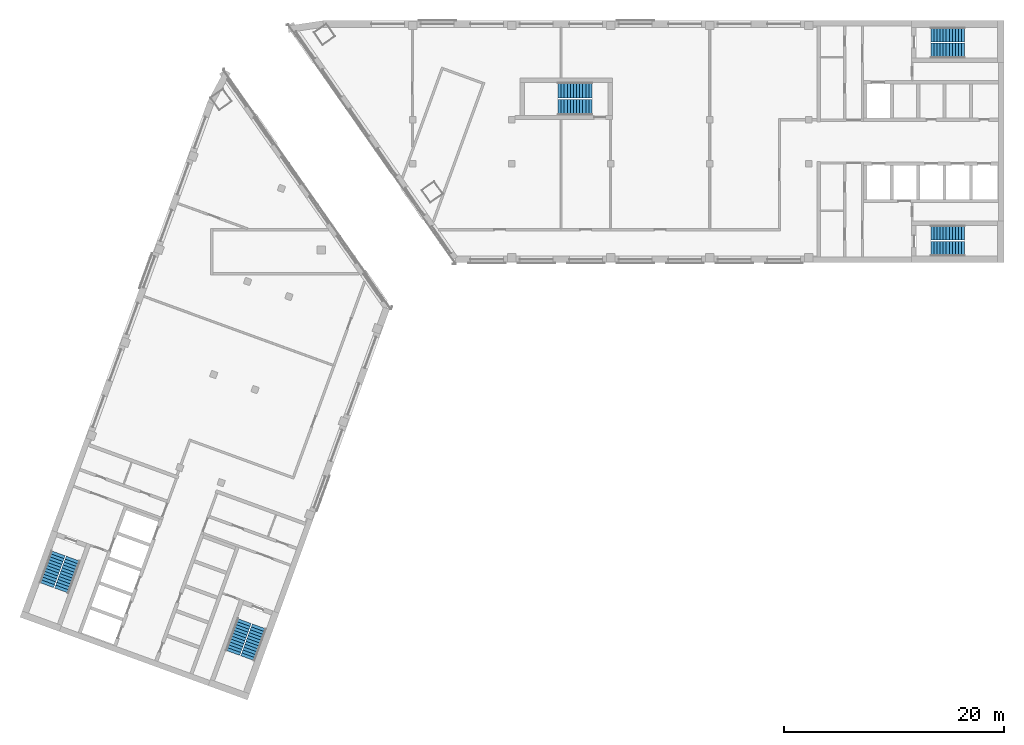
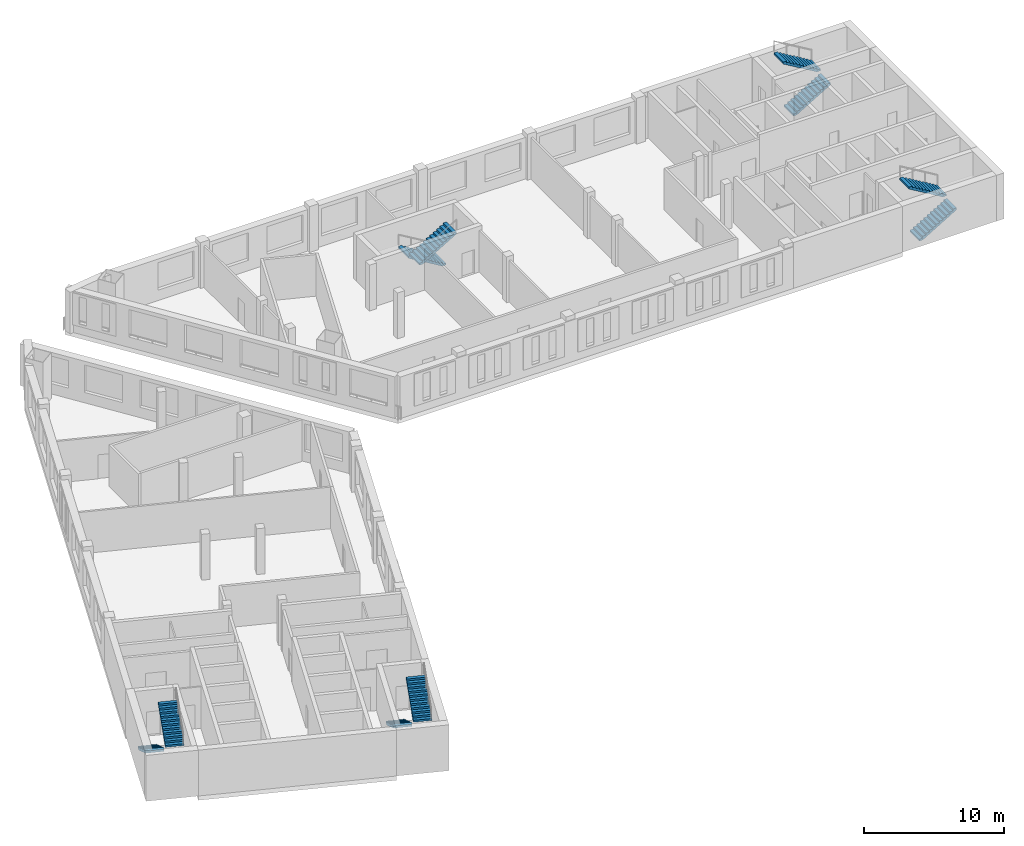
# One storey, part 7 of 8: 10 stair flights, 5 elements without a shape of their own.
"""IFC4 building model written with IfcOpenShell, lengths in metres."""

from ifc_helpers import new_model, si_unit, direction, frame, origin, place, context, subcontext, project, spatial, polyline, outline, extrude, material, type_object, element, aggregate, save


model = new_model("IFC4")

# Units and contexts
model_context = context("Model", 3, precision=1e-05, world=origin(), true_north=direction((0.0, 1.0)))
body_context = subcontext(model_context, "Body", "Model", "MODEL_VIEW")
ifc_project = project(units=[si_unit("LENGTHUNIT", "METRE"), si_unit("AREAUNIT", "SQUARE_METRE"), si_unit("VOLUMEUNIT", "CUBIC_METRE"), si_unit("PLANEANGLEUNIT", "RADIAN"), si_unit("MASSUNIT", "GRAM", prefix="KILO")], contexts=[model_context])

# Site, building, storey
site_placement = place(None, origin())
site = spatial("IfcSite", under=ifc_project, at=site_placement, CompositionType="ELEMENT")
building_placement = place(site_placement, origin())
building = spatial("IfcBuilding", under=site, at=building_placement, Name="Skarvind Civic Tower", CompositionType="ELEMENT")
storey_placement = place(building_placement, frame((0.0, 0.0, 216.0)))
storey = spatial("IfcBuildingStorey", under=building, at=storey_placement, Name="L51", CompositionType="ELEMENT", Elevation=216.0)

# Stair, stair flights
ifc_material = material(Name="Concrete C40/50", Category="concrete")
stair_type_1 = type_object("IfcStairType", Name="Exit stair 1450, half-turn, concrete", PredefinedType="HALF_TURN_STAIR", material=ifc_material)
stair_1_placement = place(storey_placement, origin())
stair_1 = element("IfcStair", 1, at=stair_1_placement, inside=storey, type_object=stair_type_1, Name="Exit stair CM", PredefinedType="HALF_TURN_STAIR")
stair_flight_type_1 = type_object("IfcStairFlightType", Name="Stair flight 1450, concrete", PredefinedType="STRAIGHT", material=ifc_material)
stair_flight_1_placement = place(storey_placement, frame((70.550048828125, 132.675048828125, 0.0), z_axis=(0.0, 0.0, 1.0), x_axis=(-1.0, 0.0, 0.0)))
stair_flight_1 = element("IfcStairFlight", 2, at=stair_flight_1_placement, type_object=stair_flight_type_1, Name="ST-CM flight 1", NumberOfRisers=12, NumberOfTreads=11, PredefinedType="STRAIGHT", RiserHeight=0.166666667, TreadLength=0.28, context=body_context, shape_type="SweptSolid", body=[
    extrude(outline(polyline([(0.0, 0.0), (0.0, 0.166748046875), (0.280029296875, 0.166748046875), (0.280029296875, 0.333251953125), (0.56005859375, 0.333251953125), (0.56005859375, 0.5), (0.840087890625, 0.5), (0.840087890625, 0.666748046875), (1.1201171875, 0.666748046875), (1.1201171875, 0.833251953125), (1.39990234375, 0.833251953125), (1.39990234375, 1.0), (1.679931640625, 1.0), (1.679931640625, 1.166748046875), (1.9599609375, 1.166748046875), (1.9599609375, 1.333251953125), (2.239990234375, 1.333251953125), (2.239990234375, 1.5), (2.52001953125, 1.5), (2.52001953125, 1.666748046875), (2.800048828125, 1.666748046875), (2.800048828125, 1.833251953125), (3.080078125, 1.833251953125), (3.080078125, 2.0), (3.080078125, 1.658935546875), (0.29296875, 0.0), (0.0, 0.0)])), frame((0.0, 0.72509765625, 0.0), z_axis=(0.0, -1.0, 0.0), x_axis=(1.0, 0.0, 0.0)), (0.0, 0.0, 1.0), 1.449951171875),
])
stair_flight_2_placement = place(storey_placement, frame((67.469970703125, 131.125, 2.0), z_axis=(0.0, 0.0, 1.0), x_axis=(1.0, 0.0, 0.0)))
stair_flight_2 = element("IfcStairFlight", 3, at=stair_flight_2_placement, type_object=stair_flight_type_1, Name="ST-CM flight 2", NumberOfRisers=12, NumberOfTreads=11, PredefinedType="STRAIGHT", RiserHeight=0.166666667, TreadLength=0.28, context=body_context, shape_type="SweptSolid", body=[
    extrude(outline(polyline([(0.0, 0.0), (0.0, 0.166748046875), (0.280029296875, 0.166748046875), (0.280029296875, 0.333251953125), (0.56005859375, 0.333251953125), (0.56005859375, 0.5), (0.840087890625, 0.5), (0.840087890625, 0.666748046875), (1.1201171875, 0.666748046875), (1.1201171875, 0.833251953125), (1.39990234375, 0.833251953125), (1.39990234375, 1.0), (1.679931640625, 1.0), (1.679931640625, 1.166748046875), (1.9599609375, 1.166748046875), (1.9599609375, 1.333251953125), (2.239990234375, 1.333251953125), (2.239990234375, 1.5), (2.52001953125, 1.5), (2.52001953125, 1.666748046875), (2.800048828125, 1.666748046875), (2.800048828125, 1.833251953125), (3.080078125, 1.833251953125), (3.080078125, 2.0), (3.080078125, 1.658935546875), (0.29296875, 0.0), (0.0, 0.0)])), frame((0.0, 0.72509765625, 0.0), z_axis=(0.0, -1.0, 0.0), x_axis=(1.0, 0.0, 0.0)), (0.0, 0.0, 1.0), 1.449951171875),
])
aggregate(stair_1, [stair_flight_1, stair_flight_2])

stair_type_2 = type_object("IfcStairType", Name="Exit stair, half-turn, concrete", PredefinedType="HALF_TURN_STAIR", material=ifc_material)
stair_2_placement = place(storey_placement, origin())
stair_2 = element("IfcStair", 4, at=stair_2_placement, inside=storey, type_object=stair_type_2, Name="Exit stair C1S", PredefinedType="HALF_TURN_STAIR")
stair_flight_type_2 = type_object("IfcStairFlightType", Name="Stair flight, concrete", PredefinedType="STRAIGHT", material=ifc_material)
stair_flight_3_placement = place(storey_placement, frame((101.35009765625, 136.27490234375, 0.0), z_axis=(0.0, 0.0, 1.0), x_axis=(1.0, 0.0, 0.0)))
stair_flight_3 = element("IfcStairFlight", 5, at=stair_flight_3_placement, type_object=stair_flight_type_2, Name="ST-C1S flight 1", NumberOfRisers=12, NumberOfTreads=11, PredefinedType="STRAIGHT", RiserHeight=0.166666667, TreadLength=0.28, context=body_context, shape_type="SweptSolid", body=[
    extrude(outline(polyline([(0.0, 0.0), (0.0, 0.166748046875), (0.280029296875, 0.166748046875), (0.280029296875, 0.333251953125), (0.56005859375, 0.333251953125), (0.56005859375, 0.5), (0.840087890625, 0.5), (0.840087890625, 0.666748046875), (1.1201171875, 0.666748046875), (1.1201171875, 0.833251953125), (1.39990234375, 0.833251953125), (1.39990234375, 1.0), (1.679931640625, 1.0), (1.679931640625, 1.166748046875), (1.9599609375, 1.166748046875), (1.9599609375, 1.333251953125), (2.239990234375, 1.333251953125), (2.239990234375, 1.5), (2.52001953125, 1.5), (2.52001953125, 1.666748046875), (2.800048828125, 1.666748046875), (2.800048828125, 1.833251953125), (3.080078125, 1.833251953125), (3.080078125, 2.0), (3.080078125, 1.658935546875), (0.29296875, 0.0), (0.0, 0.0)])), frame((0.0, 0.675048828125, 0.0), z_axis=(0.0, -1.0, 0.0), x_axis=(1.0, 0.0, 0.0)), (0.0, 0.0, 1.0), 1.35009765625),
])
stair_flight_4_placement = place(storey_placement, frame((104.429931640625, 137.72509765625, 2.0), z_axis=(0.0, 0.0, 1.0), x_axis=(-1.0, 0.0, 0.0)))
stair_flight_4 = element("IfcStairFlight", 6, at=stair_flight_4_placement, type_object=stair_flight_type_2, Name="ST-C1S flight 2", NumberOfRisers=12, NumberOfTreads=11, PredefinedType="STRAIGHT", RiserHeight=0.166666667, TreadLength=0.28, context=body_context, shape_type="SweptSolid", body=[
    extrude(outline(polyline([(0.0, 0.0), (0.0, 0.166748046875), (0.280029296875, 0.166748046875), (0.280029296875, 0.333251953125), (0.56005859375, 0.333251953125), (0.56005859375, 0.5), (0.840087890625, 0.5), (0.840087890625, 0.666748046875), (1.1201171875, 0.666748046875), (1.1201171875, 0.833251953125), (1.39990234375, 0.833251953125), (1.39990234375, 1.0), (1.679931640625, 1.0), (1.679931640625, 1.166748046875), (1.9599609375, 1.166748046875), (1.9599609375, 1.333251953125), (2.239990234375, 1.333251953125), (2.239990234375, 1.5), (2.52001953125, 1.5), (2.52001953125, 1.666748046875), (2.800048828125, 1.666748046875), (2.800048828125, 1.833251953125), (3.080078125, 1.833251953125), (3.080078125, 2.0), (3.080078125, 1.658935546875), (0.29296875, 0.0), (0.0, 0.0)])), frame((0.0, 0.675048828125, 0.0), z_axis=(0.0, -1.0, 0.0), x_axis=(1.0, 0.0, 0.0)), (0.0, 0.0, 1.0), 1.35009765625),
])
aggregate(stair_2, [stair_flight_3, stair_flight_4])

stair_3_placement = place(storey_placement, origin())
stair_3 = element("IfcStair", 7, at=stair_3_placement, inside=storey, type_object=stair_type_2, Name="Exit stair C1N", PredefinedType="HALF_TURN_STAIR")
stair_flight_5_placement = place(storey_placement, frame((101.35009765625, 118.27490234375, 0.0), z_axis=(0.0, 0.0, 1.0), x_axis=(1.0, 0.0, 0.0)))
stair_flight_5 = element("IfcStairFlight", 8, at=stair_flight_5_placement, type_object=stair_flight_type_2, Name="ST-C1N flight 1", NumberOfRisers=12, NumberOfTreads=11, PredefinedType="STRAIGHT", RiserHeight=0.166666667, TreadLength=0.28, context=body_context, shape_type="SweptSolid", body=[
    extrude(outline(polyline([(0.0, 0.0), (0.0, 0.166748046875), (0.280029296875, 0.166748046875), (0.280029296875, 0.333251953125), (0.56005859375, 0.333251953125), (0.56005859375, 0.5), (0.840087890625, 0.5), (0.840087890625, 0.666748046875), (1.1201171875, 0.666748046875), (1.1201171875, 0.833251953125), (1.39990234375, 0.833251953125), (1.39990234375, 1.0), (1.679931640625, 1.0), (1.679931640625, 1.166748046875), (1.9599609375, 1.166748046875), (1.9599609375, 1.333251953125), (2.239990234375, 1.333251953125), (2.239990234375, 1.5), (2.52001953125, 1.5), (2.52001953125, 1.666748046875), (2.800048828125, 1.666748046875), (2.800048828125, 1.833251953125), (3.080078125, 1.833251953125), (3.080078125, 2.0), (3.080078125, 1.658935546875), (0.29296875, 0.0), (0.0, 0.0)])), frame((0.0, 0.675048828125, 0.0), z_axis=(0.0, -1.0, 0.0), x_axis=(1.0, 0.0, 0.0)), (0.0, 0.0, 1.0), 1.35009765625),
])
stair_flight_6_placement = place(storey_placement, frame((104.429931640625, 119.72509765625, 2.0), z_axis=(0.0, 0.0, 1.0), x_axis=(-1.0, 0.0, 0.0)))
stair_flight_6 = element("IfcStairFlight", 9, at=stair_flight_6_placement, type_object=stair_flight_type_2, Name="ST-C1N flight 2", NumberOfRisers=12, NumberOfTreads=11, PredefinedType="STRAIGHT", RiserHeight=0.166666667, TreadLength=0.28, context=body_context, shape_type="SweptSolid", body=[
    extrude(outline(polyline([(0.0, 0.0), (0.0, 0.166748046875), (0.280029296875, 0.166748046875), (0.280029296875, 0.333251953125), (0.56005859375, 0.333251953125), (0.56005859375, 0.5), (0.840087890625, 0.5), (0.840087890625, 0.666748046875), (1.1201171875, 0.666748046875), (1.1201171875, 0.833251953125), (1.39990234375, 0.833251953125), (1.39990234375, 1.0), (1.679931640625, 1.0), (1.679931640625, 1.166748046875), (1.9599609375, 1.166748046875), (1.9599609375, 1.333251953125), (2.239990234375, 1.333251953125), (2.239990234375, 1.5), (2.52001953125, 1.5), (2.52001953125, 1.666748046875), (2.800048828125, 1.666748046875), (2.800048828125, 1.833251953125), (3.080078125, 1.833251953125), (3.080078125, 2.0), (3.080078125, 1.658935546875), (0.29296875, 0.0), (0.0, 0.0)])), frame((0.0, 0.675048828125, 0.0), z_axis=(0.0, -1.0, 0.0), x_axis=(1.0, 0.0, 0.0)), (0.0, 0.0, 1.0), 1.35009765625),
])
aggregate(stair_3, [stair_flight_5, stair_flight_6])

stair_4_placement = place(storey_placement, origin())
stair_4 = element("IfcStair", 10, at=stair_4_placement, inside=storey, type_object=stair_type_2, Name="Exit stair C2S", PredefinedType="HALF_TURN_STAIR")
stair_flight_7_placement = place(storey_placement, frame((38.949462890625, 84.43408203125, 0.0), z_axis=(0.0, 0.0, 1.0), x_axis=(-0.342020143326, -0.939692620786, 0.0)))
stair_flight_7 = element("IfcStairFlight", 11, at=stair_flight_7_placement, type_object=stair_flight_type_2, Name="ST-C2S flight 1", NumberOfRisers=12, NumberOfTreads=11, PredefinedType="STRAIGHT", RiserHeight=0.166666667, TreadLength=0.28, context=body_context, shape_type="SweptSolid", body=[
    extrude(outline(polyline([(0.0, 0.0), (0.0, 0.166748046875), (0.280029296875, 0.166748046875), (0.280029296875, 0.333251953125), (0.56005859375, 0.333251953125), (0.56005859375, 0.5), (0.840087890625, 0.5), (0.840087890625, 0.666748046875), (1.1201171875, 0.666748046875), (1.1201171875, 0.833251953125), (1.39990234375, 0.833251953125), (1.39990234375, 1.0), (1.679931640625, 1.0), (1.679931640625, 1.166748046875), (1.9599609375, 1.166748046875), (1.9599609375, 1.333251953125), (2.239990234375, 1.333251953125), (2.239990234375, 1.5), (2.52001953125, 1.5), (2.52001953125, 1.666748046875), (2.800048828125, 1.666748046875), (2.800048828125, 1.833251953125), (3.080078125, 1.833251953125), (3.080078125, 2.0), (3.080078125, 1.658935546875), (0.29296875, 0.0), (0.0, 0.0)])), frame((0.0, 0.675048828125, 0.0), z_axis=(0.0, -1.0, 0.0), x_axis=(1.0, 0.0, 0.0)), (0.0, 0.0, 1.0), 1.35009765625),
])
stair_flight_8_placement = place(storey_placement, frame((39.258544921875, 81.0439453125, 2.0), z_axis=(0.0, 0.0, 1.0), x_axis=(0.342020143326, 0.939692620786, 0.0)))
stair_flight_8 = element("IfcStairFlight", 12, at=stair_flight_8_placement, type_object=stair_flight_type_2, Name="ST-C2S flight 2", NumberOfRisers=12, NumberOfTreads=11, PredefinedType="STRAIGHT", RiserHeight=0.166666667, TreadLength=0.28, context=body_context, shape_type="SweptSolid", body=[
    extrude(outline(polyline([(0.0, 0.0), (0.0, 0.166748046875), (0.280029296875, 0.166748046875), (0.280029296875, 0.333251953125), (0.56005859375, 0.333251953125), (0.56005859375, 0.5), (0.840087890625, 0.5), (0.840087890625, 0.666748046875), (1.1201171875, 0.666748046875), (1.1201171875, 0.833251953125), (1.39990234375, 0.833251953125), (1.39990234375, 1.0), (1.679931640625, 1.0), (1.679931640625, 1.166748046875), (1.9599609375, 1.166748046875), (1.9599609375, 1.333251953125), (2.239990234375, 1.333251953125), (2.239990234375, 1.5), (2.52001953125, 1.5), (2.52001953125, 1.666748046875), (2.800048828125, 1.666748046875), (2.800048828125, 1.833251953125), (3.080078125, 1.833251953125), (3.080078125, 2.0), (3.080078125, 1.658935546875), (0.29296875, 0.0), (0.0, 0.0)])), frame((0.0, 0.675048828125, 0.0), z_axis=(0.0, -1.0, 0.0), x_axis=(1.0, 0.0, 0.0)), (0.0, 0.0, 1.0), 1.35009765625),
])
aggregate(stair_4, [stair_flight_7, stair_flight_8])

stair_5_placement = place(storey_placement, origin())
stair_5 = element("IfcStair", 13, at=stair_5_placement, inside=storey, type_object=stair_type_2, Name="Exit stair C2N", PredefinedType="HALF_TURN_STAIR")
stair_flight_9_placement = place(storey_placement, frame((22.034912109375, 90.590576171875, 0.0), z_axis=(0.0, 0.0, 1.0), x_axis=(-0.342020143326, -0.939692620786, 0.0)))
stair_flight_9 = element("IfcStairFlight", 14, at=stair_flight_9_placement, type_object=stair_flight_type_2, Name="ST-C2N flight 1", NumberOfRisers=12, NumberOfTreads=11, PredefinedType="STRAIGHT", RiserHeight=0.166666667, TreadLength=0.28, context=body_context, shape_type="SweptSolid", body=[
    extrude(outline(polyline([(0.0, 0.0), (0.0, 0.166748046875), (0.280029296875, 0.166748046875), (0.280029296875, 0.333251953125), (0.56005859375, 0.333251953125), (0.56005859375, 0.5), (0.840087890625, 0.5), (0.840087890625, 0.666748046875), (1.1201171875, 0.666748046875), (1.1201171875, 0.833251953125), (1.39990234375, 0.833251953125), (1.39990234375, 1.0), (1.679931640625, 1.0), (1.679931640625, 1.166748046875), (1.9599609375, 1.166748046875), (1.9599609375, 1.333251953125), (2.239990234375, 1.333251953125), (2.239990234375, 1.5), (2.52001953125, 1.5), (2.52001953125, 1.666748046875), (2.800048828125, 1.666748046875), (2.800048828125, 1.833251953125), (3.080078125, 1.833251953125), (3.080078125, 2.0), (3.080078125, 1.658935546875), (0.29296875, 0.0), (0.0, 0.0)])), frame((0.0, 0.675048828125, 0.0), z_axis=(0.0, -1.0, 0.0), x_axis=(1.0, 0.0, 0.0)), (0.0, 0.0, 1.0), 1.35009765625),
])
stair_flight_10_placement = place(storey_placement, frame((22.343994140625, 87.2001953125, 2.0), z_axis=(0.0, 0.0, 1.0), x_axis=(0.342020143326, 0.939692620786, 0.0)))
stair_flight_10 = element("IfcStairFlight", 15, at=stair_flight_10_placement, type_object=stair_flight_type_2, Name="ST-C2N flight 2", NumberOfRisers=12, NumberOfTreads=11, PredefinedType="STRAIGHT", RiserHeight=0.166666667, TreadLength=0.28, context=body_context, shape_type="SweptSolid", body=[
    extrude(outline(polyline([(0.0, 0.0), (0.0, 0.166748046875), (0.280029296875, 0.166748046875), (0.280029296875, 0.333251953125), (0.56005859375, 0.333251953125), (0.56005859375, 0.5), (0.840087890625, 0.5), (0.840087890625, 0.666748046875), (1.1201171875, 0.666748046875), (1.1201171875, 0.833251953125), (1.39990234375, 0.833251953125), (1.39990234375, 1.0), (1.679931640625, 1.0), (1.679931640625, 1.166748046875), (1.9599609375, 1.166748046875), (1.9599609375, 1.333251953125), (2.239990234375, 1.333251953125), (2.239990234375, 1.5), (2.52001953125, 1.5), (2.52001953125, 1.666748046875), (2.800048828125, 1.666748046875), (2.800048828125, 1.833251953125), (3.080078125, 1.833251953125), (3.080078125, 2.0), (3.080078125, 1.658935546875), (0.29296875, 0.0), (0.0, 0.0)])), frame((0.0, 0.675048828125, 0.0), z_axis=(0.0, -1.0, 0.0), x_axis=(1.0, 0.0, 0.0)), (0.0, 0.0, 1.0), 1.35009765625),
])
aggregate(stair_5, [stair_flight_9, stair_flight_10])

save(model, "model.ifc")
